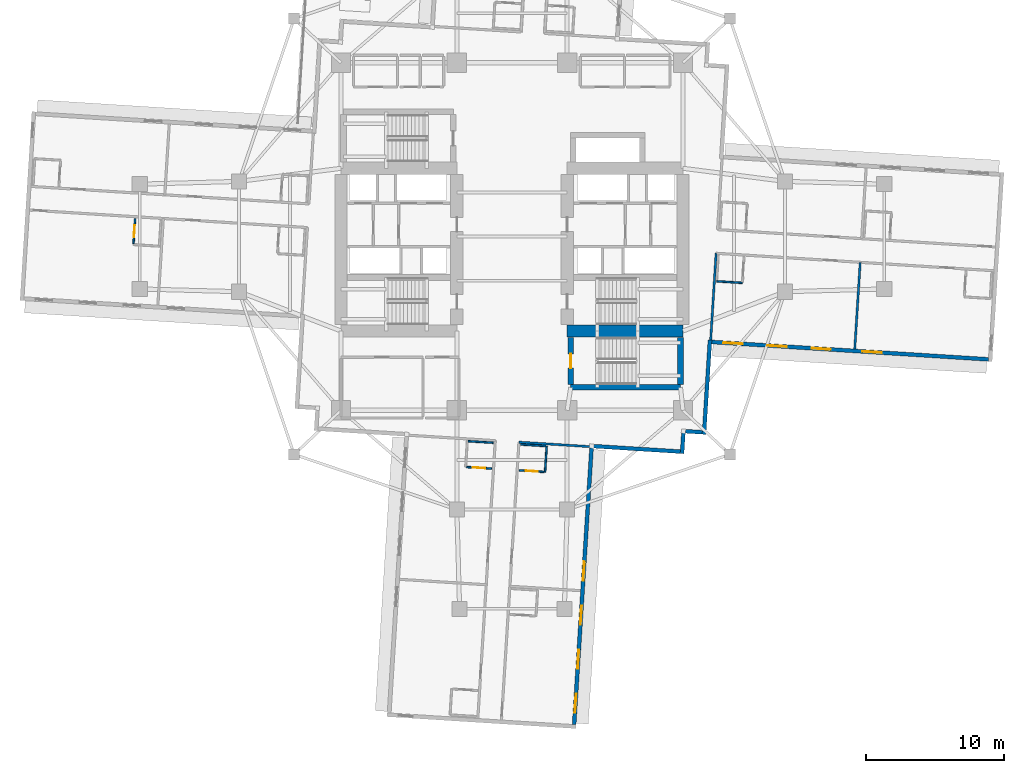
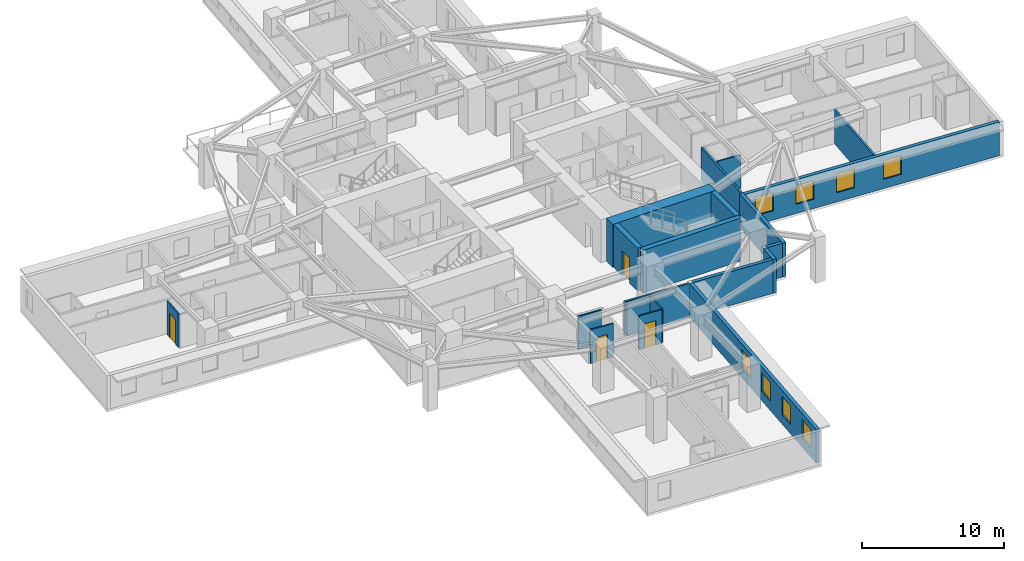
# One storey, part 4 of 14: 20 walls, 8 windows, 4 doors, 12 openings.
"""IFC4 building model written with IfcOpenShell, lengths in metres."""

from ifc_helpers import new_model, si_unit, direction, frame, frame_2d, origin, place, context, subcontext, project, spatial, rectangle, extrude, material, layer, layer_set, type_object, element, fill, save


model = new_model("IFC4")

# Units and contexts
model_context = context("Model", 3, precision=1e-05, world=origin(), true_north=direction((0.0, 1.0)))
body_context = subcontext(model_context, "Body", "Model", "MODEL_VIEW")
ifc_project = project(units=[si_unit("LENGTHUNIT", "METRE"), si_unit("AREAUNIT", "SQUARE_METRE"), si_unit("VOLUMEUNIT", "CUBIC_METRE"), si_unit("PLANEANGLEUNIT", "RADIAN"), si_unit("MASSUNIT", "GRAM", prefix="KILO")], contexts=[model_context])

# Site, building, storey
site_placement = place(None, origin())
site = spatial("IfcSite", under=ifc_project, at=site_placement, CompositionType="ELEMENT")
building_placement = place(site_placement, origin())
building = spatial("IfcBuilding", under=site, at=building_placement, Name="Qingluan Cross Belvedere", CompositionType="ELEMENT")
storey_placement = place(building_placement, frame((0.0, 0.0, 87.300048828125)))
storey = spatial("IfcBuildingStorey", under=building, at=storey_placement, Name="L22", CompositionType="ELEMENT", Elevation=87.300048828125)

# Wall
ifc_material_1 = material(Name="Concrete C50", Category="concrete")
ifc_layer_1 = layer(ifc_material_1, 0.449951171875, Name="CoreShearWall_450")
ifc_layer_set_1 = layer_set([ifc_layer_1], Name="Concrete C50")
wall_type_1 = type_object("IfcWallType", Name="CoreShearWall_450", PredefinedType="SHEAR", material=ifc_layer_set_1)
wall_1_placement = place(storey_placement, frame((4.260009765625, -10.93994140625, 0.0), z_axis=(0.0, 0.0, 1.0), x_axis=(1.0, 0.0, 0.0)))
element("IfcWall", 1, at=wall_1_placement, inside=storey, type_object=wall_type_1, Name="Stair ST4 structural wall S L22", PredefinedType="SHEAR", context=body_context, shape_type="SweptSolid", body=[
    extrude(rectangle(XDim=7.9599609375, YDim=0.39990234375, at=frame_2d((3.97998046875, 0.0))), origin(), (0.0, 0.0, 1.0), 3.699951171875),
])

# Wall, opening, door
wall_2_placement = place(storey_placement, frame((4.260009765625, -10.735107421875, 0.0), z_axis=(0.0, 0.0, 1.0), x_axis=(0.0, 1.0, 0.0)))
wall_2 = element("IfcWall", 2, at=wall_2_placement, inside=storey, type_object=wall_type_1, Name="Stair ST4 structural wall W L22", PredefinedType="SHEAR", context=body_context, shape_type="SweptSolid", body=[
    extrude(rectangle(XDim=3.43017578125, YDim=0.39990234375, at=frame_2d((1.715087890625, 0.0))), origin(), (0.0, 0.0, 1.0), 3.699951171875),
])
opening_1_placement = place(wall_2_placement, frame((1.18505859375, 0.0, 0.0)))
opening_1 = element("IfcOpeningElement", 3, at=opening_1_placement, cuts=wall_2, Name="Opening FD-B11", PredefinedType="OPENING", context=body_context, shape_type="SweptSolid", body=[
    extrude(rectangle(XDim=1.050048828125, YDim=2.14990234375, at=frame_2d((0.52490234375, 1.074951171875))), frame((0.0, 0.2099609375, 0.0), z_axis=(0.0, -1.0, 0.0), x_axis=(1.0, 0.0, 0.0)), (0.0, 0.0, 1.0), 0.419921875),
])
ifc_material_2 = material(Name="Steel Class B smoke-seal fire door", Category="steel")
door_type_1 = type_object("IfcDoorType", Name="StairLobbyFireDoor_FDB", OperationType="NOTDEFINED", PredefinedType="DOOR", material=ifc_material_2)
door_1_placement = place(opening_1_placement, origin())
door_1 = element("IfcDoor", 4, at=door_1_placement, inside=storey, type_object=door_type_1, Name="Smoke-proof stair ST4 fire door L22", OperationType="SINGLE_SWING_LEFT", OverallHeight=2.14990234375, OverallWidth=1.050048828125, PredefinedType="DOOR", context=body_context, shape_type="SweptSolid", body=[
    extrude(rectangle(XDim=1.050048828125, YDim=2.14990234375, at=frame_2d((0.52490234375, 1.074951171875))), frame((0.0, 0.02490234375, 0.0), z_axis=(0.0, -1.0, 0.0), x_axis=(1.0, 0.0, 0.0)), (0.0, 0.0, 1.0), 0.050048828125),
])
fill(opening_1, door_1)

# Walls
wall_3_placement = place(storey_placement, frame((12.219970703125, -10.735107421875, 0.0), z_axis=(0.0, 0.0, 1.0), x_axis=(0.0, 1.0, 0.0)))
element("IfcWall", 5, at=wall_3_placement, inside=storey, type_object=wall_type_1, Name="Stair ST4 structural wall E L22", PredefinedType="SHEAR", context=body_context, shape_type="SweptSolid", body=[
    extrude(rectangle(XDim=3.43017578125, YDim=0.39990234375, at=frame_2d((1.715087890625, 0.0))), origin(), (0.0, 0.0, 1.0), 3.699951171875),
])
ifc_material_3 = material(Name="Concrete C70", Category="concrete")
ifc_layer_2 = layer(ifc_material_3, 0.89990234375, Name="CoreShearWall_900")
ifc_layer_set_2 = layer_set([ifc_layer_2], Name="Concrete C70")
wall_type_2 = type_object("IfcWallType", Name="CoreShearWall_900", PredefinedType="SHEAR", material=ifc_layer_set_2)
wall_4_placement = place(storey_placement, frame((4.0, -6.85009765625, 0.0), z_axis=(0.0, 0.0, 1.0), x_axis=(1.0, 0.0, 0.0)))
element("IfcWall", 6, at=wall_4_placement, inside=storey, type_object=wall_type_2, Name="Split core E shear wall L22-S", PredefinedType="SHEAR", context=body_context, shape_type="SweptSolid", body=[
    extrude(rectangle(XDim=8.39990234375, YDim=0.89990234375, at=frame_2d((4.199951171875, 0.0))), origin(), (0.0, 0.0, 1.0), 3.699951171875),
])
ifc_material_4 = material(Name="Gypsum plasterboard on steel stud acoustic partition", Category="steel")
ifc_layer_3 = layer(ifc_material_4, 0.159912109375, Name="CorridorPartition_160")
ifc_layer_set_3 = layer_set([ifc_layer_3], Name="Gypsum plasterboard on steel stud acoustic partition")
wall_type_3 = type_object("IfcWallType", Name="CorridorPartition_160", PredefinedType="PARTITIONING", material=ifc_layer_set_3)
for number, where, z_axis, x_axis, name in (
    (7, (14.802978515625, -1.2119140625, 0.0), (0.0, 0.0, 1.0), (-0.062781701496, -0.998027283173, 0.0), "Partition L22:E:s1"),
    (8, (25.25244140625, -1.869384765625, 0.0), (0.0, 0.0, 1.0), (-0.062781701496, -0.998027283173, 0.0), "Partition L22:E:d1_0"),
):
    element("IfcWall", number, at=place(storey_placement, frame(where, z_axis=z_axis, x_axis=x_axis)), inside=storey, type_object=wall_type_3, Name=name, PredefinedType="PARTITIONING", context=body_context, shape_type="SweptSolid", body=[
        extrude(rectangle(XDim=6.2919921875, YDim=0.159912109375, at=frame_2d((3.14599609375, 0.0))), origin(), (0.0, 0.0, 1.0), 2.89990234375),
    ])
wall_5_placement = place(storey_placement, frame((0.504638671875, -14.9111328125, 0.0), z_axis=(0.0, 0.0, 1.0), x_axis=(0.998026766364, -0.06278991655, 0.0)))
element("IfcWall", 9, at=wall_5_placement, inside=storey, type_object=wall_type_3, Name="Partition L22:S:s0", PredefinedType="PARTITIONING", context=body_context, shape_type="SweptSolid", body=[
    extrude(rectangle(XDim=5.2802734375, YDim=0.159912109375, at=frame_2d((2.64013671875, 0.0))), origin(), (0.0, 0.0, 1.0), 2.89990234375),
])
ifc_material_5 = material(Name="Moisture-resistant gypsum board lining")
ifc_layer_4 = layer(ifc_material_5, 0.1201171875, Name="EnsuiteWetPartition_120")
ifc_layer_set_4 = layer_set([ifc_layer_4], Name="Moisture-resistant gypsum board lining")
wall_type_4 = type_object("IfcWallType", Name="EnsuiteWetPartition_120", PredefinedType="PARTITIONING", material=ifc_layer_set_4)
wall_6_placement = place(storey_placement, frame((14.835693359375, -3.242919921875, 0.0), z_axis=(0.0, 0.0, 1.0), x_axis=(0.998022650819, -0.062855297722, 0.0)))
element("IfcWall", 10, at=wall_6_placement, inside=storey, type_object=wall_type_4, Name="Partition L22:E:bc1_0", PredefinedType="PARTITIONING", context=body_context, shape_type="SweptSolid", body=[
    extrude(rectangle(XDim=1.8798828125, YDim=0.1201171875, at=frame_2d((0.93994140625, 0.0))), origin(), (0.0, 0.0, 1.0), 2.89990234375),
])

# Wall, opening, door
wall_7_placement = place(storey_placement, frame((-27.44677734375, -0.517578125, 0.0), z_axis=(0.0, 0.0, 1.0), x_axis=(0.062779145668, 0.998027443946, 0.0)))
wall_7 = element("IfcWall", 11, at=wall_7_placement, inside=storey, type_object=wall_type_4, Name="Partition L22:W:bs1_1", PredefinedType="PARTITIONING", context=body_context, shape_type="SweptSolid", body=[
    extrude(rectangle(XDim=1.820068359375, YDim=0.1201171875, at=frame_2d((0.91015625, 0.0))), origin(), (0.0, 0.0, 1.0), 2.89990234375),
])
opening_2_placement = place(wall_7_placement, frame((0.469970703125, 0.0, 0.0)))
opening_2 = element("IfcOpeningElement", 12, at=opening_2_placement, cuts=wall_7, Name="Opening BD-09", PredefinedType="OPENING", context=body_context, shape_type="SweptSolid", body=[
    extrude(rectangle(XDim=0.8798828125, YDim=2.10009765625, at=frame_2d((0.43994140625, 1.050048828125))), frame((0.0, 0.070068359375, 0.0), z_axis=(0.0, -1.0, 0.0), x_axis=(1.0, 0.0, 0.0)), (0.0, 0.0, 1.0), 0.14013671875),
])
ifc_material_6 = material(Name="Moisture-sealed timber en-suite door", Category="wood")
door_type_2 = type_object("IfcDoorType", Name="BathroomDoor_880", OperationType="NOTDEFINED", PredefinedType="DOOR", material=ifc_material_6)
door_2_placement = place(opening_2_placement, origin())
door_2 = element("IfcDoor", 13, at=door_2_placement, inside=storey, type_object=door_type_2, Name="Bathroom door 2208", OperationType="SINGLE_SWING_RIGHT", OverallHeight=2.10009765625, OverallWidth=0.8798828125, PredefinedType="DOOR", context=body_context, shape_type="SweptSolid", body=[
    extrude(rectangle(XDim=0.8798828125, YDim=2.10009765625, at=frame_2d((0.43994140625, 1.050048828125))), frame((0.0, 0.02490234375, 0.0), z_axis=(0.0, -1.0, 0.0), x_axis=(1.0, 0.0, 0.0)), (0.0, 0.0, 1.0), 0.050048828125),
])
fill(opening_2, door_2)

wall_8_placement = place(storey_placement, frame((0.516357421875, -16.955810546875, 0.0), z_axis=(0.0, 0.0, 1.0), x_axis=(0.998019030272, -0.062912758763, 0.0)))
wall_8 = element("IfcWall", 14, at=wall_8_placement, inside=storey, type_object=wall_type_4, Name="Partition L22:S:bs0_0", PredefinedType="PARTITIONING", context=body_context, shape_type="SweptSolid", body=[
    extrude(rectangle(XDim=1.820068359375, YDim=0.1201171875, at=frame_2d((0.91015625, 0.0))), origin(), (0.0, 0.0, 1.0), 2.89990234375),
])
opening_3_placement = place(wall_8_placement, frame((0.469970703125, 0.0, 0.0)))
opening_3 = element("IfcOpeningElement", 15, at=opening_3_placement, cuts=wall_8, Name="Opening BD-09", PredefinedType="OPENING", context=body_context, shape_type="SweptSolid", body=[
    extrude(rectangle(XDim=0.8798828125, YDim=2.10009765625, at=frame_2d((0.43994140625, 1.050048828125))), frame((0.0, 0.070068359375, 0.0), z_axis=(0.0, -1.0, 0.0), x_axis=(1.0, 0.0, 0.0)), (0.0, 0.0, 1.0), 0.14013671875),
])
door_3_placement = place(opening_3_placement, origin())
door_3 = element("IfcDoor", 16, at=door_3_placement, inside=storey, type_object=door_type_2, Name="Bathroom door 2213", OperationType="SINGLE_SWING_RIGHT", OverallHeight=2.10009765625, OverallWidth=0.8798828125, PredefinedType="DOOR", context=body_context, shape_type="SweptSolid", body=[
    extrude(rectangle(XDim=0.8798828125, YDim=2.10009765625, at=frame_2d((0.43994140625, 1.050048828125))), frame((0.0, 0.02490234375, 0.0), z_axis=(0.0, -1.0, 0.0), x_axis=(1.0, 0.0, 0.0)), (0.0, 0.0, 1.0), 0.050048828125),
])
fill(opening_3, door_3)

# Walls
wall_9_placement = place(storey_placement, frame((0.634521484375, -15.07958984375, 0.0), z_axis=(0.0, 0.0, 1.0), x_axis=(0.998026915151, -0.062787551592, 0.0)))
element("IfcWall", 17, at=wall_9_placement, inside=storey, type_object=wall_type_4, Name="Partition L22:S:bw0_0", PredefinedType="PARTITIONING", context=body_context, shape_type="SweptSolid", body=[
    extrude(rectangle(XDim=1.81982421875, YDim=0.1201171875, at=frame_2d((0.909912109375, 0.0))), origin(), (0.0, 0.0, 1.0), 2.89990234375),
])
wall_10_placement = place(storey_placement, frame((2.515625, -15.197998046875, 0.0), z_axis=(0.0, 0.0, 1.0), x_axis=(-0.062725942896, -0.998030789148, 0.0)))
element("IfcWall", 18, at=wall_10_placement, inside=storey, type_object=wall_type_4, Name="Partition L22:S:bn0_0", PredefinedType="PARTITIONING", context=body_context, shape_type="SweptSolid", body=[
    extrude(rectangle(XDim=1.8798828125, YDim=0.1201171875, at=frame_2d((0.93994140625, 0.0))), origin(), (0.0, 0.0, 1.0), 2.89990234375),
])

# Wall, opening, door
wall_11_placement = place(storey_placement, frame((-3.296142578125, -16.716064453125, 0.0), z_axis=(0.0, 0.0, 1.0), x_axis=(0.998027443946, -0.062779145668, 0.0)))
wall_11 = element("IfcWall", 19, at=wall_11_placement, inside=storey, type_object=wall_type_4, Name="Partition L22:S:bs1_0", PredefinedType="PARTITIONING", context=body_context, shape_type="SweptSolid", body=[
    extrude(rectangle(XDim=1.820068359375, YDim=0.1201171875, at=frame_2d((0.91015625, 0.0))), origin(), (0.0, 0.0, 1.0), 2.89990234375),
])
opening_4_placement = place(wall_11_placement, frame((0.469970703125, 0.0, 0.0)))
opening_4 = element("IfcOpeningElement", 20, at=opening_4_placement, cuts=wall_11, Name="Opening BD-09", PredefinedType="OPENING", context=body_context, shape_type="SweptSolid", body=[
    extrude(rectangle(XDim=0.8798828125, YDim=2.10009765625, at=frame_2d((0.43994140625, 1.050048828125))), frame((0.0, 0.070068359375, 0.0), z_axis=(0.0, -1.0, 0.0), x_axis=(1.0, 0.0, 0.0)), (0.0, 0.0, 1.0), 0.14013671875),
])
door_4_placement = place(opening_4_placement, origin())
door_4 = element("IfcDoor", 21, at=door_4_placement, inside=storey, type_object=door_type_2, Name="Bathroom door 2215", OperationType="SINGLE_SWING_RIGHT", OverallHeight=2.10009765625, OverallWidth=0.8798828125, PredefinedType="DOOR", context=body_context, shape_type="SweptSolid", body=[
    extrude(rectangle(XDim=0.8798828125, YDim=2.10009765625, at=frame_2d((0.43994140625, 1.050048828125))), frame((0.0, 0.02490234375, 0.0), z_axis=(0.0, -1.0, 0.0), x_axis=(1.0, 0.0, 0.0)), (0.0, 0.0, 1.0), 0.050048828125),
])
fill(opening_4, door_4)

# Wall
wall_12_placement = place(storey_placement, frame((-3.177978515625, -14.839599609375, 0.0), z_axis=(0.0, 0.0, 1.0), x_axis=(0.998018499228, -0.062921182436, 0.0)))
element("IfcWall", 22, at=wall_12_placement, inside=storey, type_object=wall_type_4, Name="Partition L22:S:bw1_0", PredefinedType="PARTITIONING", context=body_context, shape_type="SweptSolid", body=[
    extrude(rectangle(XDim=1.81982421875, YDim=0.1201171875, at=frame_2d((0.909912109375, 0.0))), origin(), (0.0, 0.0, 1.0), 2.89990234375),
])

# Wall, openings, windows
ifc_material_7 = material(Name="Precast concrete C45", Category="concrete")
ifc_layer_5 = layer(ifc_material_7, 0.280029296875, Name="PrecastFacadeWall_280")
ifc_layer_set_5 = layer_set([ifc_layer_5], Name="Precast concrete C45")
wall_type_5 = type_object("IfcWallType", Name="PrecastFacadeWall_280", PredefinedType="STANDARD", material=ifc_layer_set_5)
wall_13_placement = place(storey_placement, frame((14.488525390625, -7.644775390625, 0.0), z_axis=(0.0, 0.0, 1.0), x_axis=(0.99802635503, -0.06279645424, 0.0)))
wall_13 = element("IfcWall", 23, at=wall_13_placement, inside=storey, type_object=wall_type_5, Name="Facade wall L22-EA", PredefinedType="STANDARD", context=body_context, shape_type="SweptSolid", body=[
    extrude(rectangle(XDim=20.099853515625, YDim=0.280029296875, at=frame_2d((10.0498046875, 0.0))), origin(), (0.0, 0.0, 1.0), 2.909912109375),
])
opening_5_placement = place(wall_13_placement, frame((0.85009765625, 0.0, 0.800048828125)))
opening_5 = element("IfcOpeningElement", 24, at=opening_5_placement, cuts=wall_13, Name="Opening W-01", PredefinedType="OPENING", context=body_context, shape_type="SweptSolid", body=[
    extrude(rectangle(XDim=1.39990234375, YDim=1.60009765625, at=frame_2d((0.699951171875, 0.800048828125))), frame((0.0, 0.14990234375, 0.0), z_axis=(0.0, -1.0, 0.0), x_axis=(1.0, 0.0, 0.0)), (0.0, 0.0, 1.0), 0.300048828125),
])
opening_6_placement = place(wall_13_placement, frame((4.050048828125, 0.0, 0.800048828125)))
opening_6 = element("IfcOpeningElement", 25, at=opening_6_placement, cuts=wall_13, Name="Opening W-01", PredefinedType="OPENING", context=body_context, shape_type="SweptSolid", body=[
    extrude(rectangle(XDim=1.39990234375, YDim=1.60009765625, at=frame_2d((0.699951171875, 0.800048828125))), frame((0.0, 0.14990234375, 0.0), z_axis=(0.0, -1.0, 0.0), x_axis=(1.0, 0.0, 0.0)), (0.0, 0.0, 1.0), 0.300048828125),
])
opening_7_placement = place(wall_13_placement, frame((7.25, 0.0, 0.800048828125)))
opening_7 = element("IfcOpeningElement", 26, at=opening_7_placement, cuts=wall_13, Name="Opening W-01", PredefinedType="OPENING", context=body_context, shape_type="SweptSolid", body=[
    extrude(rectangle(XDim=1.39990234375, YDim=1.60009765625, at=frame_2d((0.699951171875, 0.800048828125))), frame((0.0, 0.14990234375, 0.0), z_axis=(0.0, -1.0, 0.0), x_axis=(1.0, 0.0, 0.0)), (0.0, 0.0, 1.0), 0.300048828125),
])
opening_8_placement = place(wall_13_placement, frame((10.949951171875, 0.0, 0.800048828125)))
opening_8 = element("IfcOpeningElement", 27, at=opening_8_placement, cuts=wall_13, Name="Opening W-01", PredefinedType="OPENING", context=body_context, shape_type="SweptSolid", body=[
    extrude(rectangle(XDim=1.39990234375, YDim=1.60009765625, at=frame_2d((0.699951171875, 0.800048828125))), frame((0.0, 0.14990234375, 0.0), z_axis=(0.0, -1.0, 0.0), x_axis=(1.0, 0.0, 0.0)), (0.0, 0.0, 1.0), 0.300048828125),
])
ifc_material_8 = material(Name="Thermally broken triple Low-E glass in aluminium frame", Category="aluminium")
window_type = type_object("IfcWindowType", Name="TriRibbonWin_1400x1600", PartitioningType="SINGLE_PANEL", PredefinedType="WINDOW", material=ifc_material_8)
window_1_placement = place(opening_5_placement, origin())
window_1 = element("IfcWindow", 28, at=window_1_placement, inside=storey, type_object=window_type, Name="Ribbon window L22-EA-1", OverallHeight=1.60009765625, OverallWidth=1.39990234375, PartitioningType="SINGLE_PANEL", PredefinedType="WINDOW", context=body_context, shape_type="SweptSolid", body=[
    extrude(rectangle(XDim=1.39990234375, YDim=1.60009765625, at=frame_2d((0.699951171875, 0.800048828125))), frame((0.0, 0.030029296875, 0.0), z_axis=(0.0, -1.0, 0.0), x_axis=(1.0, 0.0, 0.0)), (0.0, 0.0, 1.0), 0.06005859375),
])
fill(opening_5, window_1)
window_2_placement = place(opening_6_placement, origin())
window_2 = element("IfcWindow", 29, at=window_2_placement, inside=storey, type_object=window_type, Name="Ribbon window L22-EA-2", OverallHeight=1.60009765625, OverallWidth=1.39990234375, PartitioningType="SINGLE_PANEL", PredefinedType="WINDOW", context=body_context, shape_type="SweptSolid", body=[
    extrude(rectangle(XDim=1.39990234375, YDim=1.60009765625, at=frame_2d((0.699951171875, 0.800048828125))), frame((0.0, 0.030029296875, 0.0), z_axis=(0.0, -1.0, 0.0), x_axis=(1.0, 0.0, 0.0)), (0.0, 0.0, 1.0), 0.06005859375),
])
fill(opening_6, window_2)
window_3_placement = place(opening_7_placement, origin())
window_3 = element("IfcWindow", 30, at=window_3_placement, inside=storey, type_object=window_type, Name="Ribbon window L22-EA-3", OverallHeight=1.60009765625, OverallWidth=1.39990234375, PartitioningType="SINGLE_PANEL", PredefinedType="WINDOW", context=body_context, shape_type="SweptSolid", body=[
    extrude(rectangle(XDim=1.39990234375, YDim=1.60009765625, at=frame_2d((0.699951171875, 0.800048828125))), frame((0.0, 0.030029296875, 0.0), z_axis=(0.0, -1.0, 0.0), x_axis=(1.0, 0.0, 0.0)), (0.0, 0.0, 1.0), 0.06005859375),
])
fill(opening_7, window_3)
window_4_placement = place(opening_8_placement, origin())
window_4 = element("IfcWindow", 31, at=window_4_placement, inside=storey, type_object=window_type, Name="Ribbon window L22-EA-4", OverallHeight=1.60009765625, OverallWidth=1.39990234375, PartitioningType="SINGLE_PANEL", PredefinedType="WINDOW", context=body_context, shape_type="SweptSolid", body=[
    extrude(rectangle(XDim=1.39990234375, YDim=1.60009765625, at=frame_2d((0.699951171875, 0.800048828125))), frame((0.0, 0.030029296875, 0.0), z_axis=(0.0, -1.0, 0.0), x_axis=(1.0, 0.0, 0.0)), (0.0, 0.0, 1.0), 0.06005859375),
])
fill(opening_8, window_4)

wall_14_placement = place(storey_placement, frame((4.506591796875, -35.392822265625, 0.0), z_axis=(0.0, 0.0, 1.0), x_axis=(0.062784355807, 0.998027116198, 0.0)))
wall_14 = element("IfcWall", 32, at=wall_14_placement, inside=storey, type_object=wall_type_5, Name="Facade wall L22-SB", PredefinedType="STANDARD", context=body_context, shape_type="SweptSolid", body=[
    extrude(rectangle(XDim=20.099853515625, YDim=0.280029296875, at=frame_2d((10.0498046875, 0.0))), origin(), (0.0, 0.0, 1.0), 2.909912109375),
])
opening_9_placement = place(wall_14_placement, frame((0.85009765625, 0.0, 0.800048828125)))
opening_9 = element("IfcOpeningElement", 33, at=opening_9_placement, cuts=wall_14, Name="Opening W-01", PredefinedType="OPENING", context=body_context, shape_type="SweptSolid", body=[
    extrude(rectangle(XDim=1.39990234375, YDim=1.60009765625, at=frame_2d((0.699951171875, 0.800048828125))), frame((0.0, 0.14990234375, 0.0), z_axis=(0.0, -1.0, 0.0), x_axis=(1.0, 0.0, 0.0)), (0.0, 0.0, 1.0), 0.300048828125),
])
opening_10_placement = place(wall_14_placement, frame((4.050048828125, 0.0, 0.800048828125)))
opening_10 = element("IfcOpeningElement", 34, at=opening_10_placement, cuts=wall_14, Name="Opening W-01", PredefinedType="OPENING", context=body_context, shape_type="SweptSolid", body=[
    extrude(rectangle(XDim=1.39990234375, YDim=1.60009765625, at=frame_2d((0.699951171875, 0.800048828125))), frame((0.0, 0.14990234375, 0.0), z_axis=(0.0, -1.0, 0.0), x_axis=(1.0, 0.0, 0.0)), (0.0, 0.0, 1.0), 0.300048828125),
])
opening_11_placement = place(wall_14_placement, frame((7.25, 0.0, 0.800048828125)))
opening_11 = element("IfcOpeningElement", 35, at=opening_11_placement, cuts=wall_14, Name="Opening W-01", PredefinedType="OPENING", context=body_context, shape_type="SweptSolid", body=[
    extrude(rectangle(XDim=1.39990234375, YDim=1.60009765625, at=frame_2d((0.699951171875, 0.800048828125))), frame((0.0, 0.14990234375, 0.0), z_axis=(0.0, -1.0, 0.0), x_axis=(1.0, 0.0, 0.0)), (0.0, 0.0, 1.0), 0.300048828125),
])
opening_12_placement = place(wall_14_placement, frame((10.449951171875, 0.0, 0.800048828125)))
opening_12 = element("IfcOpeningElement", 36, at=opening_12_placement, cuts=wall_14, Name="Opening W-01", PredefinedType="OPENING", context=body_context, shape_type="SweptSolid", body=[
    extrude(rectangle(XDim=1.39990234375, YDim=1.60009765625, at=frame_2d((0.699951171875, 0.800048828125))), frame((0.0, 0.14990234375, 0.0), z_axis=(0.0, -1.0, 0.0), x_axis=(1.0, 0.0, 0.0)), (0.0, 0.0, 1.0), 0.300048828125),
])
window_5_placement = place(opening_9_placement, origin())
window_5 = element("IfcWindow", 37, at=window_5_placement, inside=storey, type_object=window_type, Name="Ribbon window L22-SB-1", OverallHeight=1.60009765625, OverallWidth=1.39990234375, PartitioningType="SINGLE_PANEL", PredefinedType="WINDOW", context=body_context, shape_type="SweptSolid", body=[
    extrude(rectangle(XDim=1.39990234375, YDim=1.60009765625, at=frame_2d((0.699951171875, 0.800048828125))), frame((0.0, 0.030029296875, 0.0), z_axis=(0.0, -1.0, 0.0), x_axis=(1.0, 0.0, 0.0)), (0.0, 0.0, 1.0), 0.06005859375),
])
fill(opening_9, window_5)
window_6_placement = place(opening_10_placement, origin())
window_6 = element("IfcWindow", 38, at=window_6_placement, inside=storey, type_object=window_type, Name="Ribbon window L22-SB-2", OverallHeight=1.60009765625, OverallWidth=1.39990234375, PartitioningType="SINGLE_PANEL", PredefinedType="WINDOW", context=body_context, shape_type="SweptSolid", body=[
    extrude(rectangle(XDim=1.39990234375, YDim=1.60009765625, at=frame_2d((0.699951171875, 0.800048828125))), frame((0.0, 0.030029296875, 0.0), z_axis=(0.0, -1.0, 0.0), x_axis=(1.0, 0.0, 0.0)), (0.0, 0.0, 1.0), 0.06005859375),
])
fill(opening_10, window_6)
window_7_placement = place(opening_11_placement, origin())
window_7 = element("IfcWindow", 39, at=window_7_placement, inside=storey, type_object=window_type, Name="Ribbon window L22-SB-3", OverallHeight=1.60009765625, OverallWidth=1.39990234375, PartitioningType="SINGLE_PANEL", PredefinedType="WINDOW", context=body_context, shape_type="SweptSolid", body=[
    extrude(rectangle(XDim=1.39990234375, YDim=1.60009765625, at=frame_2d((0.699951171875, 0.800048828125))), frame((0.0, 0.030029296875, 0.0), z_axis=(0.0, -1.0, 0.0), x_axis=(1.0, 0.0, 0.0)), (0.0, 0.0, 1.0), 0.06005859375),
])
fill(opening_11, window_7)
window_8_placement = place(opening_12_placement, origin())
window_8 = element("IfcWindow", 40, at=window_8_placement, inside=storey, type_object=window_type, Name="Ribbon window L22-SB-4", OverallHeight=1.60009765625, OverallWidth=1.39990234375, PartitioningType="SINGLE_PANEL", PredefinedType="WINDOW", context=body_context, shape_type="SweptSolid", body=[
    extrude(rectangle(XDim=1.39990234375, YDim=1.60009765625, at=frame_2d((0.699951171875, 0.800048828125))), frame((0.0, 0.030029296875, 0.0), z_axis=(0.0, -1.0, 0.0), x_axis=(1.0, 0.0, 0.0)), (0.0, 0.0, 1.0), 0.06005859375),
])
fill(opening_12, window_8)

# Walls
wall_15_placement = place(storey_placement, frame((14.357666015625, -7.496337890625, 0.0), z_axis=(0.0, 0.0, 1.0), x_axis=(-0.062779317195, -0.998027433156, 0.0)))
element("IfcWall", 41, at=wall_15_placement, inside=storey, type_object=wall_type_5, Name="Corner wall L22-SE1", PredefinedType="STANDARD", context=body_context, shape_type="SweptSolid", body=[
    extrude(rectangle(XDim=6.85986328125, YDim=0.280029296875, at=frame_2d((3.429931640625, 0.0))), origin(), (0.0, 0.0, 1.0), 2.909912109375),
])
wall_16_placement = place(storey_placement, frame((13.7958984375, -14.1943359375, 0.0), z_axis=(0.0, 0.0, 1.0), x_axis=(-0.998023660242, 0.06283926796, 0.0)))
element("IfcWall", 42, at=wall_16_placement, inside=storey, type_object=wall_type_5, Name="Corner wall L22-SE2", PredefinedType="STANDARD", context=body_context, shape_type="SweptSolid", body=[
    extrude(rectangle(XDim=1.219970703125, YDim=0.280029296875, at=frame_2d((0.60986328125, 0.0))), origin(), (0.0, 0.0, 1.0), 2.909912109375),
])
wall_17_placement = place(storey_placement, frame((12.429931640625, -14.24853515625, 0.0), z_axis=(0.0, 0.0, 1.0), x_axis=(-0.062824119533, -0.998024613927, 0.0)))
element("IfcWall", 43, at=wall_17_placement, inside=storey, type_object=wall_type_5, Name="Corner wall L22-SE3", PredefinedType="STANDARD", context=body_context, shape_type="SweptSolid", body=[
    extrude(rectangle(XDim=1.5, YDim=0.280029296875, at=frame_2d((0.75, 0.0))), origin(), (0.0, 0.0, 1.0), 2.909912109375),
])
wall_18_placement = place(storey_placement, frame((12.20458984375, -15.59716796875, 0.0), z_axis=(0.0, 0.0, 1.0), x_axis=(-0.998024885752, 0.062819801181, 0.0)))
element("IfcWall", 44, at=wall_18_placement, inside=storey, type_object=wall_type_5, Name="Corner wall L22-SE4", PredefinedType="STANDARD", context=body_context, shape_type="SweptSolid", body=[
    extrude(rectangle(XDim=6.2998046875, YDim=0.280029296875, at=frame_2d((3.14990234375, 0.0))), origin(), (0.0, 0.0, 1.0), 2.909912109375),
])

save(model, "model.ifc")
